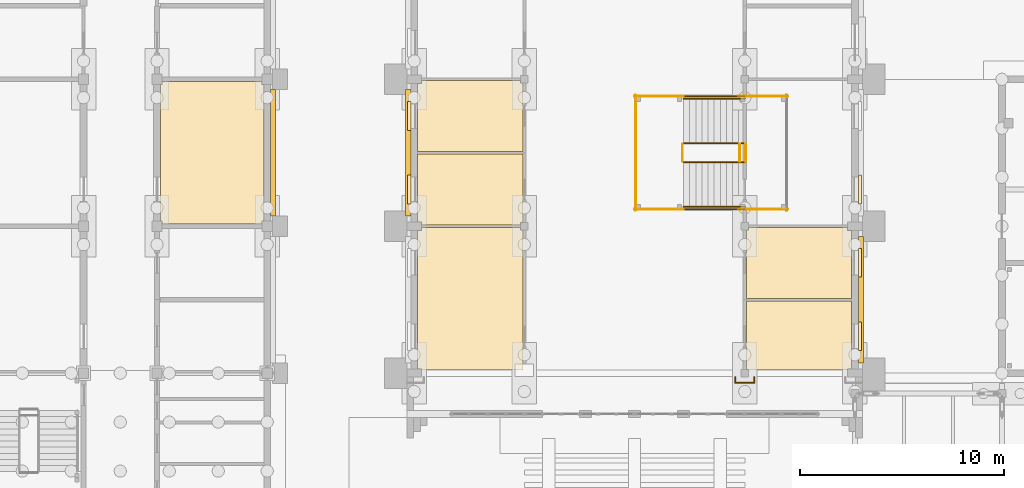
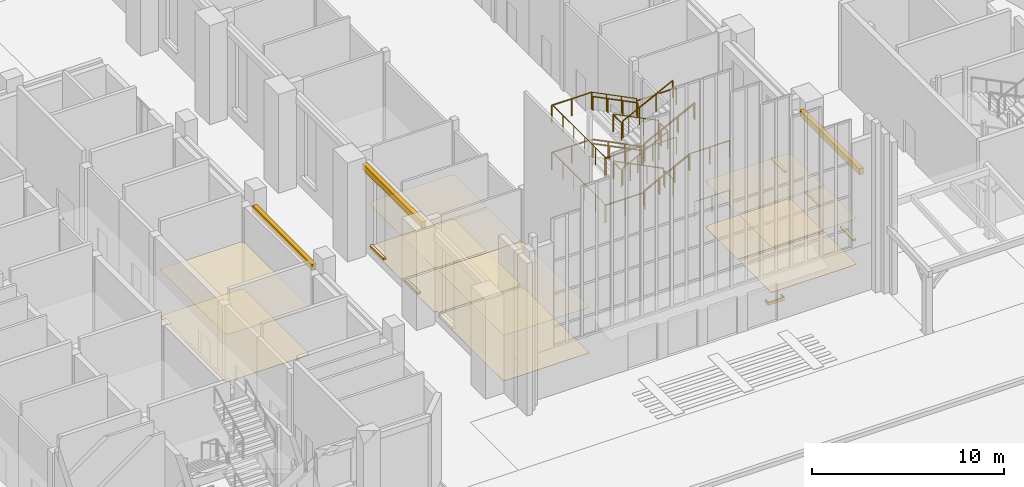
# One storey, part 68 of 84: 26 railings, 21 coverings.
"""IFC4 building model written with IfcOpenShell, lengths in metres."""

import ifcopenshell
import ifcopenshell.guid

model = None  # the IFC model being written
_history = None  # IfcOwnerHistory: only IFC2X3 demands one
_inside = {}  # id of a spatial element -> (the spatial element, [elements in it])
_under = {}  # id of a project, library or spatial element -> (it, [spatial elements below it])
_declared = {}  # id of a project -> (the project, [libraries it declares])
_typed = {}  # id of a type object -> (the type object, [elements of that type])
_made_of = {}  # id of a material, layer set ... -> (it, [elements and type objects made of it])


def new_model(schema):
    """Start an empty IFC model of exactly this schema.

    Asked for "IFC4X3", IfcOpenShell would pick the latest addendum, in which some entities
    have other attributes; the version numbers below select the first issue.
    IFC2X3 requires an IfcOwnerHistory on every rooted entity: one is made here for all.
    """
    global model, _history
    if schema == "IFC4X3":
        model = ifcopenshell.file(schema_version=(4, 3, 0, 0))
    else:
        model = ifcopenshell.file(schema=schema)
    _inside.clear()
    _under.clear()
    _declared.clear()
    _typed.clear()
    _made_of.clear()
    _history = None
    if model.schema == "IFC2X3":
        org = make("IfcOrganization", Name="unknown")
        user = make(
            "IfcPersonAndOrganization",
            ThePerson=make("IfcPerson", FamilyName="unknown"),
            TheOrganization=org,
        )
        app = make(
            "IfcApplication",
            ApplicationDeveloper=org,
            Version="unknown",
            ApplicationFullName="unknown",
            ApplicationIdentifier="unknown",
        )
        _history = make(
            "IfcOwnerHistory",
            OwningUser=user,
            OwningApplication=app,
            ChangeAction="ADDED",
            CreationDate=0,
        )
    return model


def make(cls, **values):
    """One entity of the class cls with the attributes given. An attribute that is None is left unset."""
    return model.create_entity(
        cls, **{name: value for name, value in values.items() if value is not None}
    )


def rooted(cls, **values):
    """An entity with a GlobalId (a new one), such as an element, a storey or a relation."""
    return make(cls, GlobalId=ifcopenshell.guid.new(), OwnerHistory=_history, **values)


def si_unit(unit_type, name, prefix=None):
    """IfcSIUnit, for example si_unit("LENGTHUNIT", "METRE", prefix="MILLI")."""
    return make("IfcSIUnit", UnitType=unit_type, Prefix=prefix, Name=name)


def assignment(units):
    """IfcUnitAssignment: the units of a project."""
    return None if units is None else make("IfcUnitAssignment", Units=units)


def point(xyz):
    """IfcCartesianPoint."""
    return None if xyz is None else make("IfcCartesianPoint", Coordinates=xyz)


def direction(xyz):
    """IfcDirection."""
    return None if xyz is None else make("IfcDirection", DirectionRatios=xyz)


def frame(location, z_axis=None, x_axis=None):
    """IfcAxis2Placement3D, a coordinate frame: its origin and axes. An axis left out is left unset."""
    return make(
        "IfcAxis2Placement3D",
        Location=point(location),
        Axis=direction(z_axis),
        RefDirection=direction(x_axis),
    )


def frame_2d(location, x_axis=None):
    """IfcAxis2Placement2D, a coordinate frame in the plane: its origin and x axis."""
    return make(
        "IfcAxis2Placement2D", Location=point(location), RefDirection=direction(x_axis)
    )


def origin():
    """The frame at (0, 0, 0) with its axes left unset."""
    return frame((0.0, 0.0, 0.0))


def origin_2d():
    """The frame at (0, 0) in the plane with its x axis left unset."""
    return frame_2d((0.0, 0.0))


def place(relative_to, where):
    """IfcLocalPlacement: puts the frame where relative to a parent placement (None: the world)."""
    return make(
        "IfcLocalPlacement", PlacementRelTo=relative_to, RelativePlacement=where
    )


def context(
    kind, dimensions, precision=None, world=None, true_north=None, identifier=None
):
    """IfcGeometricRepresentationContext, for example the 3D "Model" context."""
    return make(
        "IfcGeometricRepresentationContext",
        ContextIdentifier=identifier,
        ContextType=kind,
        CoordinateSpaceDimension=dimensions,
        Precision=precision,
        WorldCoordinateSystem=world,
        TrueNorth=true_north,
    )


def subcontext(parent, identifier, kind, view, scale=None):
    """IfcGeometricRepresentationSubContext, for example "Body" below "Model"."""
    return make(
        "IfcGeometricRepresentationSubContext",
        ContextIdentifier=identifier,
        ContextType=kind,
        ParentContext=parent,
        TargetScale=scale,
        TargetView=view,
    )


def project(units=None, contexts=None):
    """IfcProject with its units and contexts."""
    return rooted(
        "IfcProject",
        Name="project",
        RepresentationContexts=contexts,
        UnitsInContext=assignment(units),
    )


def spatial(cls, under=None, at=None, **own):
    """A site, building, storey or space (cls), placed at a placement, below another one or the project."""
    s = rooted(cls, ObjectPlacement=at, **own)
    if under is not None:
        _under.setdefault(under.id(), (under, []))[1].append(s)
    return s


def polyline(points):
    """IfcPolyline through the points."""
    return make("IfcPolyline", Points=[point(p) for p in points])


def profile(cls, at=None, kind="AREA", **sizes):
    """A parametric profile (cls). Its sizes go by their IFC names, for example OverallWidth=200.0."""
    return make(cls, ProfileType=kind, Position=at, **sizes)


def circle(**sizes):
    """IfcCircleProfileDef."""
    return profile("IfcCircleProfileDef", **sizes)


def outline(outer, holes=None, kind="AREA"):
    """IfcArbitraryClosedProfileDef: a profile drawn as a closed curve; with holes, ...WithVoids."""
    if holes is None:
        return make("IfcArbitraryClosedProfileDef", ProfileType=kind, OuterCurve=outer)
    return make(
        "IfcArbitraryProfileDefWithVoids",
        ProfileType=kind,
        OuterCurve=outer,
        InnerCurves=holes,
    )


def extrude(swept, where, along, depth):
    """IfcExtrudedAreaSolid: the profile swept, set in the frame where, extruded along a direction by depth."""
    return make(
        "IfcExtrudedAreaSolid",
        SweptArea=swept,
        Position=where,
        ExtrudedDirection=direction(along),
        Depth=depth,
    )


def shape(context_of_items, identifier, shape_type, items):
    """IfcShapeRepresentation: the items that make up one representation, for example the "Body"."""
    return make(
        "IfcShapeRepresentation",
        ContextOfItems=context_of_items,
        RepresentationIdentifier=identifier,
        RepresentationType=shape_type,
        Items=items,
    )


def material(Name=None, Category=None):
    """IfcMaterial."""
    return make("IfcMaterial", Name=Name, Category=Category)


def layer(
    of_material, thickness, ventilated=None, Name=None, Category=None, Priority=None
):
    """IfcMaterialLayer: one layer of a wall or slab, of a material (None: an air gap)."""
    return make(
        "IfcMaterialLayer",
        Material=of_material,
        LayerThickness=thickness,
        IsVentilated=ventilated,
        Name=Name,
        Category=Category,
        Priority=Priority,
    )


def layer_set(layers, Name=None):
    """IfcMaterialLayerSet."""
    return make("IfcMaterialLayerSet", MaterialLayers=layers, LayerSetName=Name)


def made_of(thing, what):
    """Note that an element or type object is made of a material, layer set ...; save() writes the relation."""
    if what is not None:
        _made_of.setdefault(what.id(), (what, []))[1].append(thing)
    return thing


def type_object(cls, material=None, **own):
    """A type object (cls), such as IfcWallType, which elements share."""
    return made_of(rooted(cls, **own), material)


def element(
    cls,
    number,
    at=None,
    inside=None,
    cuts=None,
    type_object=None,
    material=None,
    context=None,
    identifier="Body",
    shape_type=None,
    held_by="IfcProductDefinitionShape",
    body=None,
    shapes=None,
    **own,
):
    """One element of the class cls, such as IfcWall. Its Tag is "e" and its number.

    at: its placement. inside: the storey or other place that contains it. cuts: it is an
    opening in that element (IfcRelVoidsElement). A single representation is given by context,
    identifier, shape_type and body (its items); several are given by shapes. held_by: the class
    of the entity that holds the representations. save() writes the other relations.
    """
    e = rooted(cls, Tag="e%d" % number, ObjectPlacement=at, **own)
    if body is not None:
        shapes = [shape(context, identifier, shape_type, body)]
    if shapes is not None:
        e.Representation = make(held_by, Representations=shapes)
    if inside is not None:
        _inside.setdefault(inside.id(), (inside, []))[1].append(e)
    if cuts is not None:
        rooted(
            "IfcRelVoidsElement", RelatingBuildingElement=cuts, RelatedOpeningElement=e
        )
    if type_object is not None:
        _typed.setdefault(type_object.id(), (type_object, []))[1].append(e)
    return made_of(e, material)


def aggregate(whole, parts):
    """IfcRelAggregates: a whole, such as a stair, and the parts it consists of."""
    return rooted("IfcRelAggregates", RelatingObject=whole, RelatedObjects=parts)


def save(model, path):
    """Write the relations noted so far, then the file.

    IfcRelAggregates (storeys below a building ...), IfcRelContainedInSpatialStructure (elements
    in a storey), IfcRelDefinesByType, IfcRelAssociatesMaterial and IfcRelDeclares: one each for
    every whole, place, type object, material and project.
    """
    for whole, parts in _under.values():
        aggregate(whole, parts)
    for where, things in _inside.values():
        rooted(
            "IfcRelContainedInSpatialStructure",
            RelatedElements=things,
            RelatingStructure=where,
        )
    for kind, things in _typed.values():
        rooted("IfcRelDefinesByType", RelatedObjects=things, RelatingType=kind)
    for what, things in _made_of.values():
        rooted("IfcRelAssociatesMaterial", RelatedObjects=things, RelatingMaterial=what)
    for by, libraries in _declared.values():
        rooted("IfcRelDeclares", RelatingContext=by, RelatedDefinitions=libraries)
    model.write(path)


model = new_model("IFC4")

# Units and contexts
model_context = context("Model", 3, precision=1e-05, world=origin(), true_north=direction((0.0, 1.0)))
body_context = subcontext(model_context, "Body", "Model", "MODEL_VIEW")
ifc_project = project(units=[si_unit("LENGTHUNIT", "METRE"), si_unit("AREAUNIT", "SQUARE_METRE"), si_unit("VOLUMEUNIT", "CUBIC_METRE"), si_unit("PLANEANGLEUNIT", "RADIAN"), si_unit("MASSUNIT", "GRAM", prefix="KILO")], contexts=[model_context])

# Site, building, storey
site_placement = place(None, origin())
site = spatial("IfcSite", under=ifc_project, at=site_placement, CompositionType="ELEMENT")
building_placement = place(site_placement, origin())
building = spatial("IfcBuilding", under=site, at=building_placement, Name="Mazhai Court Health Centre", CompositionType="ELEMENT")
storey_placement = place(building_placement, origin())
storey = spatial("IfcBuildingStorey", under=building, at=storey_placement, Name="L00", CompositionType="ELEMENT", Elevation=0.0)

# Coverings
ifc_material_1 = material(Name="Clay brick masonry", Category="masonry")
ifc_layer_1 = layer(ifc_material_1, 0.25)
ifc_layer_set_1 = layer_set([ifc_layer_1], Name="BRICK BAND 250")
covering_type_1 = type_object("IfcCoveringType", Name="BRICK BAND 250", PredefinedType="MOLDING", material=ifc_layer_set_1)
covering_1_placement = place(storey_placement, frame((0.0, 0.0, 5.0)))
element("IfcCovering", 1, at=covering_1_placement, inside=storey, type_object=covering_type_1, Name="EB-V5-L00-B2p0-0", PredefinedType="MOLDING", context=body_context, shape_type="SweptSolid", body=[
    extrude(outline(polyline([(35.1650390625, 27.300048828125), (35.1650390625, 21.10009765625), (35.4150390625, 21.10009765625), (35.4150390625, 27.300048828125), (35.1650390625, 27.300048828125)])), origin(), (0.0, 0.0, 1.0), 0.39990234375),
])
covering_2_placement = place(storey_placement, frame((0.0, 0.0, 5.3701171875)))
element("IfcCovering", 2, at=covering_2_placement, inside=storey, type_object=covering_type_1, Name="EB-V1-L00-W1-0", PredefinedType="MOLDING", context=body_context, shape_type="SweptSolid", body=[
    extrude(outline(polyline([(42.034912109375, 21.10009765625), (42.034912109375, 27.300048828125), (41.784912109375, 27.300048828125), (41.784912109375, 21.10009765625), (42.034912109375, 21.10009765625)])), origin(), (0.0, 0.0, 1.0), 0.39990234375),
])
covering_3_placement = place(storey_placement, frame((0.0, 0.0, 5.3701171875)))
element("IfcCovering", 3, at=covering_3_placement, inside=storey, type_object=covering_type_1, Name="EB-V1-L00-E0-0", PredefinedType="MOLDING", context=body_context, shape_type="SweptSolid", body=[
    extrude(outline(polyline([(63.965087890625, 20.10009765625), (63.965087890625, 13.89990234375), (64.215087890625, 13.89990234375), (64.215087890625, 20.10009765625), (63.965087890625, 20.10009765625)])), origin(), (0.0, 0.0, 1.0), 0.39990234375),
])
ifc_material_2 = material(Name="Clay brick masonry", Category="masonry")
ifc_layer_2 = layer(ifc_material_2, 0.14990234375)
ifc_layer_set_2 = layer_set([ifc_layer_2], Name="BRICK SILL COURSE 150")
covering_type_2 = type_object("IfcCoveringType", Name="BRICK SILL COURSE 150", PredefinedType="MOLDING", material=ifc_layer_set_2)
covering_4_placement = place(storey_placement, frame((0.0, 0.0, 0.780029296875)))
element("IfcCovering", 4, at=covering_4_placement, inside=storey, type_object=covering_type_2, Name="ES-WN-V1-L00-W1a", PredefinedType="MOLDING", context=body_context, shape_type="SweptSolid", body=[
    extrude(outline(polyline([(42.034912109375, 21.699951171875), (42.034912109375, 23.10009765625), (41.885009765625, 23.10009765625), (41.885009765625, 21.699951171875), (42.034912109375, 21.699951171875)])), origin(), (0.0, 0.0, 1.0), 0.119873046875),
])
covering_5_placement = place(storey_placement, frame((0.0, 0.0, 0.780029296875)))
element("IfcCovering", 5, at=covering_5_placement, inside=storey, type_object=covering_type_2, Name="ES-WN-V1-L00-W1b", PredefinedType="MOLDING", context=body_context, shape_type="SweptSolid", body=[
    extrude(outline(polyline([(42.034912109375, 25.300048828125), (42.034912109375, 26.699951171875), (41.885009765625, 26.699951171875), (41.885009765625, 25.300048828125), (42.034912109375, 25.300048828125)])), origin(), (0.0, 0.0, 1.0), 0.119873046875),
])
covering_6_placement = place(storey_placement, frame((0.0, 0.0, 0.780029296875)))
element("IfcCovering", 6, at=covering_6_placement, inside=storey, type_object=covering_type_2, Name="ES-WN-V1-L00-E0a", PredefinedType="MOLDING", context=body_context, shape_type="SweptSolid", body=[
    extrude(outline(polyline([(63.965087890625, 15.89990234375), (63.965087890625, 14.5), (64.114990234375, 14.5), (64.114990234375, 15.89990234375), (63.965087890625, 15.89990234375)])), origin(), (0.0, 0.0, 1.0), 0.119873046875),
])
covering_7_placement = place(storey_placement, frame((0.0, 0.0, 0.780029296875)))
element("IfcCovering", 7, at=covering_7_placement, inside=storey, type_object=covering_type_2, Name="ES-WN-V1-L00-E0b", PredefinedType="MOLDING", context=body_context, shape_type="SweptSolid", body=[
    extrude(outline(polyline([(63.965087890625, 19.5), (63.965087890625, 18.10009765625), (64.114990234375, 18.10009765625), (64.114990234375, 19.5), (63.965087890625, 19.5)])), origin(), (0.0, 0.0, 1.0), 0.119873046875),
])
covering_8_placement = place(storey_placement, frame((0.0, 0.0, 0.780029296875)))
element("IfcCovering", 8, at=covering_8_placement, inside=storey, type_object=covering_type_2, Name="ES-WN-V1-L00-E1a", PredefinedType="MOLDING", context=body_context, shape_type="SweptSolid", body=[
    extrude(outline(polyline([(63.965087890625, 23.10009765625), (63.965087890625, 21.699951171875), (64.114990234375, 21.699951171875), (64.114990234375, 23.10009765625), (63.965087890625, 23.10009765625)])), origin(), (0.0, 0.0, 1.0), 0.119873046875),
])
ifc_material_3 = material(Name="Gypsum plasterboard ceiling")
ifc_layer_3 = layer(ifc_material_3, 0.02001953125)
ifc_layer_set_3 = layer_set([ifc_layer_3], Name="CEILING GYPSUM BOARD 20")
covering_type_3 = type_object("IfcCoveringType", Name="CEILING GYPSUM BOARD 20", PredefinedType="CEILING", material=ifc_layer_set_3)
covering_9_placement = place(storey_placement, frame((0.0, 0.0, 3.0)))
element("IfcCovering", 9, at=covering_9_placement, inside=storey, type_object=covering_type_3, Name="ceil-V5-L00-B0-ct-room", PredefinedType="CEILING", context=body_context, shape_type="SweptSolid", body=[
    extrude(outline(polyline([(34.8349609375, 27.550048828125), (34.75, 27.550048828125), (34.75, 27.68505859375), (29.85009765625, 27.68505859375), (29.85009765625, 27.550048828125), (29.77490234375, 27.550048828125), (29.77490234375, 20.85009765625), (29.85009765625, 20.85009765625), (29.85009765625, 20.715087890625), (34.75, 20.715087890625), (34.75, 20.85009765625), (34.8349609375, 20.85009765625), (34.8349609375, 27.550048828125)])), origin(), (0.0, 0.0, 1.0), 0.02001953125),
])
covering_10_placement = place(storey_placement, frame((0.0, 0.0, 2.89990234375)))
element("IfcCovering", 10, at=covering_10_placement, inside=storey, type_object=covering_type_3, Name="ceil-V1-L00-W-registration-and-reception", PredefinedType="CEILING", context=body_context, shape_type="SweptSolid", body=[
    extrude(outline(polyline([(47.52490234375, 20.419921875), (47.419921875, 20.419921875), (47.419921875, 20.53759765625), (42.56005859375, 20.53759765625), (42.56005859375, 20.39990234375), (42.364990234375, 20.39990234375), (42.364990234375, 13.60009765625), (42.56005859375, 13.60009765625), (42.56005859375, 13.56494140625), (47.52490234375, 13.56494140625), (47.52490234375, 20.419921875)])), origin(), (0.0, 0.0, 1.0), 0.02001953125),
])
covering_11_placement = place(storey_placement, frame((0.0, 0.0, 2.800048828125)))
element("IfcCovering", 11, at=covering_11_placement, inside=storey, type_object=covering_type_3, Name="ceil-V1-L00-W-triage-room-1", PredefinedType="CEILING", context=body_context, shape_type="SweptSolid", body=[
    extrude(outline(polyline([(42.364990234375, 20.800048828125), (42.56005859375, 20.800048828125), (42.56005859375, 20.66259765625), (47.419921875, 20.66259765625), (47.419921875, 20.780029296875), (47.52490234375, 20.780029296875), (47.52490234375, 24.137451171875), (42.364990234375, 24.137451171875), (42.364990234375, 20.800048828125)])), origin(), (0.0, 0.0, 1.0), 0.02001953125),
])
covering_12_placement = place(storey_placement, frame((0.0, 0.0, 2.800048828125)))
element("IfcCovering", 12, at=covering_12_placement, inside=storey, type_object=covering_type_3, Name="ceil-V1-L00-W-triage-room-2", PredefinedType="CEILING", context=body_context, shape_type="SweptSolid", body=[
    extrude(outline(polyline([(47.52490234375, 27.6201171875), (47.419921875, 27.6201171875), (47.419921875, 27.737548828125), (42.56005859375, 27.737548828125), (42.56005859375, 27.60009765625), (42.364990234375, 27.60009765625), (42.364990234375, 24.262451171875), (47.52490234375, 24.262451171875), (47.52490234375, 27.6201171875)])), origin(), (0.0, 0.0, 1.0), 0.02001953125),
])
covering_13_placement = place(storey_placement, frame((0.0, 0.0, 2.89990234375)))
element("IfcCovering", 13, at=covering_13_placement, inside=storey, type_object=covering_type_3, Name="ceil-V1-L00-E-security-room", PredefinedType="CEILING", context=body_context, shape_type="SweptSolid", body=[
    extrude(outline(polyline([(58.47509765625, 13.580078125), (58.580078125, 13.580078125), (58.580078125, 13.56494140625), (63.43994140625, 13.56494140625), (63.43994140625, 13.60009765625), (63.635009765625, 13.60009765625), (63.635009765625, 16.9375), (58.47509765625, 16.9375), (58.47509765625, 13.580078125)])), origin(), (0.0, 0.0, 1.0), 0.02001953125),
])
covering_14_placement = place(storey_placement, frame((0.0, 0.0, 2.89990234375)))
element("IfcCovering", 14, at=covering_14_placement, inside=storey, type_object=covering_type_3, Name="ceil-V1-L00-E-fire-command-centre", PredefinedType="CEILING", context=body_context, shape_type="SweptSolid", body=[
    extrude(outline(polyline([(63.635009765625, 20.39990234375), (63.43994140625, 20.39990234375), (63.43994140625, 20.53759765625), (58.580078125, 20.53759765625), (58.580078125, 20.419921875), (58.47509765625, 20.419921875), (58.47509765625, 17.0625), (63.635009765625, 17.0625), (63.635009765625, 20.39990234375)])), origin(), (0.0, 0.0, 1.0), 0.02001953125),
])
ifc_material_4 = material(Name="Antistatic vinyl flooring")
ifc_layer_4 = layer(ifc_material_4, 0.02001953125)
ifc_layer_set_4 = layer_set([ifc_layer_4], Name="FLOOR FINISH ANTISTATIC VINYL FLOORING 20")
covering_type_4 = type_object("IfcCoveringType", Name="FLOOR FINISH ANTISTATIC VINYL FLOORING 20", PredefinedType="FLOORING", material=ifc_layer_set_4)
covering_15_placement = place(storey_placement, origin())
element("IfcCovering", 15, at=covering_15_placement, inside=storey, type_object=covering_type_4, Name="floor-V5-L00-B0-ct-room", PredefinedType="FLOORING", context=body_context, shape_type="SweptSolid", body=[
    extrude(outline(polyline([(34.8349609375, 27.550048828125), (34.75, 27.550048828125), (34.75, 27.68505859375), (29.85009765625, 27.68505859375), (29.85009765625, 27.550048828125), (29.77490234375, 27.550048828125), (29.77490234375, 20.85009765625), (29.85009765625, 20.85009765625), (29.85009765625, 20.715087890625), (34.75, 20.715087890625), (34.75, 20.85009765625), (34.8349609375, 20.85009765625), (34.8349609375, 27.550048828125)])), origin(), (0.0, 0.0, 1.0), 0.02001953125),
])
ifc_material_5 = material(Name="Heavy duty vinyl flooring")
ifc_layer_5 = layer(ifc_material_5, 0.02001953125)
ifc_layer_set_5 = layer_set([ifc_layer_5], Name="FLOOR FINISH HEAVY DUTY VINYL FLOORING 20")
covering_type_5 = type_object("IfcCoveringType", Name="FLOOR FINISH HEAVY DUTY VINYL FLOORING 20", PredefinedType="FLOORING", material=ifc_layer_set_5)
covering_16_placement = place(storey_placement, origin())
element("IfcCovering", 16, at=covering_16_placement, inside=storey, type_object=covering_type_5, Name="floor-V1-L00-W-triage-room-1", PredefinedType="FLOORING", context=body_context, shape_type="SweptSolid", body=[
    extrude(outline(polyline([(42.364990234375, 20.800048828125), (42.56005859375, 20.800048828125), (42.56005859375, 20.66259765625), (47.419921875, 20.66259765625), (47.419921875, 20.780029296875), (47.52490234375, 20.780029296875), (47.52490234375, 24.137451171875), (42.364990234375, 24.137451171875), (42.364990234375, 20.800048828125)])), origin(), (0.0, 0.0, 1.0), 0.02001953125),
])
covering_17_placement = place(storey_placement, origin())
element("IfcCovering", 17, at=covering_17_placement, inside=storey, type_object=covering_type_5, Name="floor-V1-L00-W-triage-room-2", PredefinedType="FLOORING", context=body_context, shape_type="SweptSolid", body=[
    extrude(outline(polyline([(47.52490234375, 27.6201171875), (47.419921875, 27.6201171875), (47.419921875, 27.737548828125), (42.56005859375, 27.737548828125), (42.56005859375, 27.60009765625), (42.364990234375, 27.60009765625), (42.364990234375, 24.262451171875), (47.52490234375, 24.262451171875), (47.52490234375, 27.6201171875)])), origin(), (0.0, 0.0, 1.0), 0.02001953125),
])
ifc_material_6 = material(Name="Linoleum flooring")
ifc_layer_6 = layer(ifc_material_6, 0.02001953125)
ifc_layer_set_6 = layer_set([ifc_layer_6], Name="FLOOR FINISH LINOLEUM FLOORING 20")
covering_type_6 = type_object("IfcCoveringType", Name="FLOOR FINISH LINOLEUM FLOORING 20", PredefinedType="FLOORING", material=ifc_layer_set_6)
covering_18_placement = place(storey_placement, origin())
element("IfcCovering", 18, at=covering_18_placement, inside=storey, type_object=covering_type_6, Name="floor-V1-L00-W-registration-and-reception", PredefinedType="FLOORING", context=body_context, shape_type="SweptSolid", body=[
    extrude(outline(polyline([(47.52490234375, 20.419921875), (47.419921875, 20.419921875), (47.419921875, 20.53759765625), (42.56005859375, 20.53759765625), (42.56005859375, 20.39990234375), (42.364990234375, 20.39990234375), (42.364990234375, 13.60009765625), (42.56005859375, 13.60009765625), (42.56005859375, 13.56494140625), (47.52490234375, 13.56494140625), (47.52490234375, 20.419921875)])), origin(), (0.0, 0.0, 1.0), 0.02001953125),
])
covering_19_placement = place(storey_placement, origin())
element("IfcCovering", 19, at=covering_19_placement, inside=storey, type_object=covering_type_6, Name="floor-V1-L00-E-security-room", PredefinedType="FLOORING", context=body_context, shape_type="SweptSolid", body=[
    extrude(outline(polyline([(58.47509765625, 13.580078125), (58.580078125, 13.580078125), (58.580078125, 13.56494140625), (63.43994140625, 13.56494140625), (63.43994140625, 13.60009765625), (63.635009765625, 13.60009765625), (63.635009765625, 16.9375), (58.47509765625, 16.9375), (58.47509765625, 13.580078125)])), origin(), (0.0, 0.0, 1.0), 0.02001953125),
])
covering_20_placement = place(storey_placement, origin())
element("IfcCovering", 20, at=covering_20_placement, inside=storey, type_object=covering_type_6, Name="floor-V1-L00-E-fire-command-centre", PredefinedType="FLOORING", context=body_context, shape_type="SweptSolid", body=[
    extrude(outline(polyline([(63.635009765625, 20.39990234375), (63.43994140625, 20.39990234375), (63.43994140625, 20.53759765625), (58.580078125, 20.53759765625), (58.580078125, 20.419921875), (58.47509765625, 20.419921875), (58.47509765625, 17.0625), (63.635009765625, 17.0625), (63.635009765625, 20.39990234375)])), origin(), (0.0, 0.0, 1.0), 0.02001953125),
])
ifc_material_7 = material(Name="Planted topsoil and lawn")
ifc_layer_7 = layer(ifc_material_7, 0.199951171875)
ifc_layer_set_7 = layer_set([ifc_layer_7], Name="SITE GROUND PLANTED SOIL 200")
covering_type_7 = type_object("IfcCoveringType", Name="SITE GROUND PLANTED SOIL 200", PredefinedType="FLOORING", material=ifc_layer_set_7)
covering_21_placement = place(storey_placement, frame((0.0, 0.0, -0.199951171875)))
element("IfcCovering", 21, at=covering_21_placement, inside=storey, type_object=covering_type_7, Name="Site ground 5", PredefinedType="FLOORING", context=body_context, shape_type="SweptSolid", body=[
    extrude(outline(polyline([(58.89990234375, 12.89990234375), (57.89990234375, 12.89990234375), (57.89990234375, 13.235107421875), (57.949951171875, 13.235107421875), (57.949951171875, 12.949951171875), (58.85009765625, 12.949951171875), (58.85009765625, 13.235107421875), (58.89990234375, 13.235107421875), (58.89990234375, 12.89990234375)])), origin(), (0.0, 0.0, 1.0), 0.199951171875),
])

# Railings
ifc_material_8 = material(Name="Steel IS 2062 E250", Category="steel")
railing_type_1 = type_object("IfcRailingType", Name="STAIR GUARD 1100", PredefinedType="GUARDRAIL", material=ifc_material_8)
for number, where, name in (
    (22, (58.39990234375, 26.97509765625, 0.14990234375), "L00 ST13 stair guard 1"),
    (23, (58.39990234375, 24.675048828125, 0.14990234375), "L00 ST13 stair guard 2"),
):
    element("IfcRailing", number, at=place(storey_placement, frame(where)), inside=storey, type_object=railing_type_1, Name=name, PredefinedType="GUARDRAIL", context=body_context, shape_type="SweptSolid", body=[
        extrude(circle(Radius=0.02392578125, at=origin_2d()), frame((0.0, 0.0, 1.076171875), z_axis=(-0.894427191, 0.0, 0.4472135955), x_axis=(0.0, -1.0, 0.0)), (0.0, 0.0, 1.0), 3.35400390625),
        extrude(circle(Radius=0.02099609375, at=origin_2d()), origin(), (0.0, 0.0, 1.0), 1.052001953125),
        extrude(circle(Radius=0.02099609375, at=origin_2d()), frame((-1.0, 0.0, 0.5)), (0.0, 0.0, 1.0), 1.052001953125),
        extrude(circle(Radius=0.02099609375, at=origin_2d()), frame((-2.0, 0.0, 1.0)), (0.0, 0.0, 1.0), 1.052001953125),
        extrude(circle(Radius=0.02099609375, at=origin_2d()), frame((-3.0, 0.0, 1.5)), (0.0, 0.0, 1.0), 1.052001953125),
    ])
railing_1_placement = place(storey_placement, frame((55.35009765625, 24.625, 1.64990234375)))
element("IfcRailing", 24, at=railing_1_placement, inside=storey, type_object=railing_type_1, Name="L00 ST13 stair guard 3", PredefinedType="GUARDRAIL", context=body_context, shape_type="SweptSolid", body=[
    extrude(circle(Radius=0.02392578125, at=origin_2d()), frame((0.0, 0.0, 1.076171875), z_axis=(0.0, -1.0, 0.0), x_axis=(1.0, 0.0, 0.0)), (0.0, 0.0, 1.0), 0.85009765625),
    extrude(circle(Radius=0.02099609375, at=origin_2d()), origin(), (0.0, 0.0, 1.0), 1.052001953125),
    extrude(circle(Radius=0.02099609375, at=origin_2d()), frame((0.0, -0.85009765625, 0.0)), (0.0, 0.0, 1.0), 1.052001953125),
])
for number, where, name in (
    (25, (55.39990234375, 26.97509765625, 1.64990234375), "L00 ST13 stair guard 4"),
    (26, (55.39990234375, 21.425048828125, 1.64990234375), "L00 ST13 stair guard 5"),
):
    element("IfcRailing", number, at=place(storey_placement, frame(where)), inside=storey, type_object=railing_type_1, Name=name, PredefinedType="GUARDRAIL", context=body_context, shape_type="SweptSolid", body=[
        extrude(circle(Radius=0.02392578125, at=origin_2d()), frame((0.0, 0.0, 1.076171875), z_axis=(-1.0, 0.0, 0.0), x_axis=(0.0, -1.0, 0.0)), (0.0, 0.0, 1.0), 2.39990234375),
        extrude(circle(Radius=0.02099609375, at=origin_2d()), origin(), (0.0, 0.0, 1.0), 1.052001953125),
        extrude(circle(Radius=0.02099609375, at=origin_2d()), frame((-1.199951171875, 0.0, 0.0)), (0.0, 0.0, 1.0), 1.052001953125),
        extrude(circle(Radius=0.02099609375, at=origin_2d()), frame((-2.39990234375, 0.0, 0.0)), (0.0, 0.0, 1.0), 1.052001953125),
    ])
railing_2_placement = place(storey_placement, frame((53.050048828125, 27.02490234375, 1.64990234375)))
element("IfcRailing", 27, at=railing_2_placement, inside=storey, type_object=railing_type_1, Name="L00 ST13 stair guard 6", PredefinedType="GUARDRAIL", context=body_context, shape_type="SweptSolid", body=[
    extrude(circle(Radius=0.02392578125, at=origin_2d()), frame((0.0, 0.0, 1.076171875), z_axis=(0.0, -1.0, 0.0), x_axis=(1.0, 0.0, 0.0)), (0.0, 0.0, 1.0), 5.64990234375),
    extrude(circle(Radius=0.02099609375, at=origin_2d()), origin(), (0.0, 0.0, 1.0), 1.052001953125),
    extrude(circle(Radius=0.02099609375, at=origin_2d()), frame((0.0, -1.1298828125, 0.0)), (0.0, 0.0, 1.0), 1.052001953125),
    extrude(circle(Radius=0.02099609375, at=origin_2d()), frame((0.0, -2.260009765625, 0.0)), (0.0, 0.0, 1.0), 1.052001953125),
    extrude(circle(Radius=0.02099609375, at=origin_2d()), frame((0.0, -3.389892578125, 0.0)), (0.0, 0.0, 1.0), 1.052001953125),
    extrude(circle(Radius=0.02099609375, at=origin_2d()), frame((0.0, -4.52001953125, 0.0)), (0.0, 0.0, 1.0), 1.052001953125),
    extrude(circle(Radius=0.02099609375, at=origin_2d()), frame((0.0, -5.64990234375, 0.0)), (0.0, 0.0, 1.0), 1.052001953125),
])
for number, where, name in (
    (28, (55.39990234375, 21.425048828125, 1.800048828125), "L00 ST13 stair guard 7"),
    (29, (55.39990234375, 23.72509765625, 1.800048828125), "L00 ST13 stair guard 8"),
):
    element("IfcRailing", number, at=place(storey_placement, frame(where)), inside=storey, type_object=railing_type_1, Name=name, PredefinedType="GUARDRAIL", context=body_context, shape_type="SweptSolid", body=[
        extrude(circle(Radius=0.02392578125, at=origin_2d()), frame((0.0, 0.0, 1.076171875), z_axis=(0.89445953801, 0.0, 0.447148895629), x_axis=(0.0, 1.0, 0.0)), (0.0, 0.0, 1.0), 3.018798828125),
        extrude(circle(Radius=0.02099609375, at=origin_2d()), origin(), (0.0, 0.0, 1.0), 1.052001953125),
        extrude(circle(Radius=0.02099609375, at=origin_2d()), frame((0.900146484375, 0.0, 0.449951171875)), (0.0, 0.0, 1.0), 1.052001953125),
        extrude(circle(Radius=0.02099609375, at=origin_2d()), frame((1.800048828125, 0.0, 0.89990234375)), (0.0, 0.0, 1.0), 1.052001953125),
        extrude(circle(Radius=0.02099609375, at=origin_2d()), frame((2.7001953125, 0.0, 1.349853515625)), (0.0, 0.0, 1.0), 1.052001953125),
    ])
railing_3_placement = place(storey_placement, frame((58.14990234375, 24.625, 3.14990234375)))
element("IfcRailing", 30, at=railing_3_placement, inside=storey, type_object=railing_type_1, Name="L00 ST13 stair guard 9", PredefinedType="GUARDRAIL", context=body_context, shape_type="SweptSolid", body=[
    extrude(circle(Radius=0.02392578125, at=origin_2d()), frame((0.0, 0.0, 1.076171875), z_axis=(0.0, -1.0, 0.0), x_axis=(1.0, 0.0, 0.0)), (0.0, 0.0, 1.0), 0.85009765625),
    extrude(circle(Radius=0.02099609375, at=origin_2d()), origin(), (0.0, 0.0, 1.0), 1.052001953125),
    extrude(circle(Radius=0.02099609375, at=origin_2d()), frame((0.0, -0.85009765625, 0.0)), (0.0, 0.0, 1.0), 1.052001953125),
])
for number, where, name in (
    (31, (60.5, 26.97509765625, 3.14990234375), "L00 ST13 stair guard 10"),
    (32, (60.5, 21.425048828125, 3.14990234375), "L00 ST13 stair guard 11"),
):
    element("IfcRailing", number, at=place(storey_placement, frame(where)), inside=storey, type_object=railing_type_1, Name=name, PredefinedType="GUARDRAIL", context=body_context, shape_type="SweptSolid", body=[
        extrude(circle(Radius=0.02392578125, at=origin_2d()), frame((0.0, 0.0, 1.076171875), z_axis=(-1.0, 0.0, 0.0), x_axis=(0.0, -1.0, 0.0)), (0.0, 0.0, 1.0), 2.39990234375),
        extrude(circle(Radius=0.02099609375, at=origin_2d()), origin(), (0.0, 0.0, 1.0), 1.052001953125),
        extrude(circle(Radius=0.02099609375, at=origin_2d()), frame((-1.199951171875, 0.0, 0.0)), (0.0, 0.0, 1.0), 1.052001953125),
        extrude(circle(Radius=0.02099609375, at=origin_2d()), frame((-2.39990234375, 0.0, 0.0)), (0.0, 0.0, 1.0), 1.052001953125),
    ])
for number, where, name in (
    (33, (58.10009765625, 26.97509765625, 3.300048828125), "L00 ST13 stair guard 13"),
    (34, (58.10009765625, 24.675048828125, 3.300048828125), "L00 ST13 stair guard 14"),
):
    element("IfcRailing", number, at=place(storey_placement, frame(where)), inside=storey, type_object=railing_type_1, Name=name, PredefinedType="GUARDRAIL", context=body_context, shape_type="SweptSolid", body=[
        extrude(circle(Radius=0.02392578125, at=origin_2d()), frame((0.0, 0.0, 1.076171875), z_axis=(-0.89445953801, 0.0, 0.447148895629), x_axis=(0.0, -1.0, 0.0)), (0.0, 0.0, 1.0), 3.018798828125),
        extrude(circle(Radius=0.02099609375, at=origin_2d()), origin(), (0.0, 0.0, 1.0), 1.052001953125),
        extrude(circle(Radius=0.02099609375, at=origin_2d()), frame((-0.900146484375, 0.0, 0.449951171875)), (0.0, 0.0, 1.0), 1.052001953125),
        extrude(circle(Radius=0.02099609375, at=origin_2d()), frame((-1.800048828125, 0.0, 0.89990234375)), (0.0, 0.0, 1.0), 1.052001953125),
        extrude(circle(Radius=0.02099609375, at=origin_2d()), frame((-2.7001953125, 0.0, 1.349853515625)), (0.0, 0.0, 1.0), 1.052001953125),
    ])
railing_4_placement = place(storey_placement, frame((55.35009765625, 24.625, 4.64990234375)))
element("IfcRailing", 35, at=railing_4_placement, inside=storey, type_object=railing_type_1, Name="L00 ST13 stair guard 15", PredefinedType="GUARDRAIL", context=body_context, shape_type="SweptSolid", body=[
    extrude(circle(Radius=0.02392578125, at=origin_2d()), frame((0.0, 0.0, 1.076171875), z_axis=(0.0, -1.0, 0.0), x_axis=(1.0, 0.0, 0.0)), (0.0, 0.0, 1.0), 0.85009765625),
    extrude(circle(Radius=0.02099609375, at=origin_2d()), origin(), (0.0, 0.0, 1.0), 1.052001953125),
    extrude(circle(Radius=0.02099609375, at=origin_2d()), frame((0.0, -0.85009765625, 0.0)), (0.0, 0.0, 1.0), 1.052001953125),
])
for number, where, name in (
    (36, (55.39990234375, 26.97509765625, 4.64990234375), "L00 ST13 stair guard 16"),
    (37, (55.39990234375, 21.425048828125, 4.64990234375), "L00 ST13 stair guard 17"),
):
    element("IfcRailing", number, at=place(storey_placement, frame(where)), inside=storey, type_object=railing_type_1, Name=name, PredefinedType="GUARDRAIL", context=body_context, shape_type="SweptSolid", body=[
        extrude(circle(Radius=0.02392578125, at=origin_2d()), frame((0.0, 0.0, 1.076171875), z_axis=(-1.0, 0.0, 0.0), x_axis=(0.0, -1.0, 0.0)), (0.0, 0.0, 1.0), 2.39990234375),
        extrude(circle(Radius=0.02099609375, at=origin_2d()), origin(), (0.0, 0.0, 1.0), 1.052001953125),
        extrude(circle(Radius=0.02099609375, at=origin_2d()), frame((-1.199951171875, 0.0, 0.0)), (0.0, 0.0, 1.0), 1.052001953125),
        extrude(circle(Radius=0.02099609375, at=origin_2d()), frame((-2.39990234375, 0.0, 0.0)), (0.0, 0.0, 1.0), 1.052001953125),
    ])
railing_5_placement = place(storey_placement, frame((53.050048828125, 27.02490234375, 4.64990234375)))
element("IfcRailing", 38, at=railing_5_placement, inside=storey, type_object=railing_type_1, Name="L00 ST13 stair guard 18", PredefinedType="GUARDRAIL", context=body_context, shape_type="SweptSolid", body=[
    extrude(circle(Radius=0.02392578125, at=origin_2d()), frame((0.0, 0.0, 1.076171875), z_axis=(0.0, -1.0, 0.0), x_axis=(1.0, 0.0, 0.0)), (0.0, 0.0, 1.0), 5.64990234375),
    extrude(circle(Radius=0.02099609375, at=origin_2d()), origin(), (0.0, 0.0, 1.0), 1.052001953125),
    extrude(circle(Radius=0.02099609375, at=origin_2d()), frame((0.0, -1.1298828125, 0.0)), (0.0, 0.0, 1.0), 1.052001953125),
    extrude(circle(Radius=0.02099609375, at=origin_2d()), frame((0.0, -2.260009765625, 0.0)), (0.0, 0.0, 1.0), 1.052001953125),
    extrude(circle(Radius=0.02099609375, at=origin_2d()), frame((0.0, -3.389892578125, 0.0)), (0.0, 0.0, 1.0), 1.052001953125),
    extrude(circle(Radius=0.02099609375, at=origin_2d()), frame((0.0, -4.52001953125, 0.0)), (0.0, 0.0, 1.0), 1.052001953125),
    extrude(circle(Radius=0.02099609375, at=origin_2d()), frame((0.0, -5.64990234375, 0.0)), (0.0, 0.0, 1.0), 1.052001953125),
])
for number, where, name in (
    (39, (55.39990234375, 21.425048828125, 4.800048828125), "L00 ST13 stair guard 19"),
    (40, (55.39990234375, 23.72509765625, 4.800048828125), "L00 ST13 stair guard 20"),
):
    element("IfcRailing", number, at=place(storey_placement, frame(where)), inside=storey, type_object=railing_type_1, Name=name, PredefinedType="GUARDRAIL", context=body_context, shape_type="SweptSolid", body=[
        extrude(circle(Radius=0.02392578125, at=origin_2d()), frame((0.0, 0.0, 1.076171875), z_axis=(0.894427191, 0.0, 0.4472135955), x_axis=(0.0, 1.0, 0.0)), (0.0, 0.0, 1.0), 3.35400390625),
        extrude(circle(Radius=0.02099609375, at=origin_2d()), origin(), (0.0, 0.0, 1.0), 1.052001953125),
        extrude(circle(Radius=0.02099609375, at=origin_2d()), frame((1.0, 0.0, 0.5)), (0.0, 0.0, 1.0), 1.052001953125),
        extrude(circle(Radius=0.02099609375, at=origin_2d()), frame((2.0, 0.0, 1.0)), (0.0, 0.0, 1.0), 1.052001953125),
        extrude(circle(Radius=0.02099609375, at=origin_2d()), frame((3.0, 0.0, 1.5)), (0.0, 0.0, 1.0), 1.052001953125),
    ])
railing_6_placement = place(storey_placement, frame((58.449951171875, 24.625, 0.0)))
element("IfcRailing", 41, at=railing_6_placement, inside=storey, type_object=railing_type_1, Name="L00 ST13 stair guard 21", PredefinedType="GUARDRAIL", context=body_context, shape_type="SweptSolid", body=[
    extrude(circle(Radius=0.02392578125, at=origin_2d()), frame((0.0, 0.0, 1.076171875), z_axis=(0.0, -1.0, 0.0), x_axis=(1.0, 0.0, 0.0)), (0.0, 0.0, 1.0), 0.85009765625),
    extrude(circle(Radius=0.02099609375, at=origin_2d()), origin(), (0.0, 0.0, 1.0), 1.052001953125),
    extrude(circle(Radius=0.02099609375, at=origin_2d()), frame((0.0, -0.85009765625, 0.0)), (0.0, 0.0, 1.0), 1.052001953125),
])
for number, where, name in (
    (42, (60.5, 26.97509765625, 0.0), "L00 ST13 stair guard 22"),
    (43, (60.5, 21.425048828125, 0.0), "L00 ST13 stair guard 23"),
):
    element("IfcRailing", number, at=place(storey_placement, frame(where)), inside=storey, type_object=railing_type_1, Name=name, PredefinedType="GUARDRAIL", context=body_context, shape_type="SweptSolid", body=[
        extrude(circle(Radius=0.02392578125, at=origin_2d()), frame((0.0, 0.0, 1.076171875), z_axis=(-1.0, 0.0, 0.0), x_axis=(0.0, -1.0, 0.0)), (0.0, 0.0, 1.0), 2.10009765625),
        extrude(circle(Radius=0.02099609375, at=origin_2d()), origin(), (0.0, 0.0, 1.0), 1.052001953125),
        extrude(circle(Radius=0.02099609375, at=origin_2d()), frame((-1.050048828125, 0.0, 0.0)), (0.0, 0.0, 1.0), 1.052001953125),
        extrude(circle(Radius=0.02099609375, at=origin_2d()), frame((-2.10009765625, 0.0, 0.0)), (0.0, 0.0, 1.0), 1.052001953125),
    ])
ifc_material_9 = material(Name="Steel IS 2062 E250", Category="steel")
railing_type_2 = type_object("IfcRailingType", Name="STAIR HANDRAIL 900", PredefinedType="HANDRAIL", material=ifc_material_9)
railing_7_placement = place(storey_placement, frame((58.39990234375, 26.85498046875, 0.14990234375)))
element("IfcRailing", 44, at=railing_7_placement, inside=storey, type_object=railing_type_2, Name="L00 ST13 stair handrail 1", PredefinedType="HANDRAIL", context=body_context, shape_type="SweptSolid", body=[
    extrude(circle(Radius=0.02392578125, at=origin_2d()), frame((0.0, 0.0, 0.8759765625), z_axis=(-0.894427191, 0.0, 0.4472135955), x_axis=(0.0, -1.0, 0.0)), (0.0, 0.0, 1.0), 3.35400390625),
    extrude(circle(Radius=0.02099609375, at=origin_2d()), origin(), (0.0, 0.0, 1.0), 0.851806640625),
    extrude(circle(Radius=0.02099609375, at=origin_2d()), frame((-1.0, 0.0, 0.5)), (0.0, 0.0, 1.0), 0.851806640625),
    extrude(circle(Radius=0.02099609375, at=origin_2d()), frame((-2.0, 0.0, 1.0)), (0.0, 0.0, 1.0), 0.851806640625),
    extrude(circle(Radius=0.02099609375, at=origin_2d()), frame((-3.0, 0.0, 1.5)), (0.0, 0.0, 1.0), 0.851806640625),
])
railing_8_placement = place(storey_placement, frame((55.39990234375, 21.544921875, 1.800048828125)))
element("IfcRailing", 45, at=railing_8_placement, inside=storey, type_object=railing_type_2, Name="L00 ST13 stair handrail 2", PredefinedType="HANDRAIL", context=body_context, shape_type="SweptSolid", body=[
    extrude(circle(Radius=0.02392578125, at=origin_2d()), frame((0.0, 0.0, 0.8759765625), z_axis=(0.89445953801, 0.0, 0.447148895629), x_axis=(0.0, 1.0, 0.0)), (0.0, 0.0, 1.0), 3.018798828125),
    extrude(circle(Radius=0.02099609375, at=origin_2d()), origin(), (0.0, 0.0, 1.0), 0.851806640625),
    extrude(circle(Radius=0.02099609375, at=origin_2d()), frame((0.900146484375, 0.0, 0.449951171875)), (0.0, 0.0, 1.0), 0.851806640625),
    extrude(circle(Radius=0.02099609375, at=origin_2d()), frame((1.800048828125, 0.0, 0.89990234375)), (0.0, 0.0, 1.0), 0.851806640625),
    extrude(circle(Radius=0.02099609375, at=origin_2d()), frame((2.7001953125, 0.0, 1.349853515625)), (0.0, 0.0, 1.0), 0.851806640625),
])
railing_9_placement = place(storey_placement, frame((58.10009765625, 26.85498046875, 3.300048828125)))
element("IfcRailing", 46, at=railing_9_placement, inside=storey, type_object=railing_type_2, Name="L00 ST13 stair handrail 3", PredefinedType="HANDRAIL", context=body_context, shape_type="SweptSolid", body=[
    extrude(circle(Radius=0.02392578125, at=origin_2d()), frame((0.0, 0.0, 0.8759765625), z_axis=(-0.89445953801, 0.0, 0.447148895629), x_axis=(0.0, -1.0, 0.0)), (0.0, 0.0, 1.0), 3.018798828125),
    extrude(circle(Radius=0.02099609375, at=origin_2d()), origin(), (0.0, 0.0, 1.0), 0.851806640625),
    extrude(circle(Radius=0.02099609375, at=origin_2d()), frame((-0.900146484375, 0.0, 0.449951171875)), (0.0, 0.0, 1.0), 0.851806640625),
    extrude(circle(Radius=0.02099609375, at=origin_2d()), frame((-1.800048828125, 0.0, 0.89990234375)), (0.0, 0.0, 1.0), 0.851806640625),
    extrude(circle(Radius=0.02099609375, at=origin_2d()), frame((-2.7001953125, 0.0, 1.349853515625)), (0.0, 0.0, 1.0), 0.851806640625),
])
railing_10_placement = place(storey_placement, frame((55.39990234375, 21.544921875, 4.800048828125)))
element("IfcRailing", 47, at=railing_10_placement, inside=storey, type_object=railing_type_2, Name="L00 ST13 stair handrail 4", PredefinedType="HANDRAIL", context=body_context, shape_type="SweptSolid", body=[
    extrude(circle(Radius=0.02392578125, at=origin_2d()), frame((0.0, 0.0, 0.8759765625), z_axis=(0.894427191, 0.0, 0.4472135955), x_axis=(0.0, 1.0, 0.0)), (0.0, 0.0, 1.0), 3.35400390625),
    extrude(circle(Radius=0.02099609375, at=origin_2d()), origin(), (0.0, 0.0, 1.0), 0.851806640625),
    extrude(circle(Radius=0.02099609375, at=origin_2d()), frame((1.0, 0.0, 0.5)), (0.0, 0.0, 1.0), 0.851806640625),
    extrude(circle(Radius=0.02099609375, at=origin_2d()), frame((2.0, 0.0, 1.0)), (0.0, 0.0, 1.0), 0.851806640625),
    extrude(circle(Radius=0.02099609375, at=origin_2d()), frame((3.0, 0.0, 1.5)), (0.0, 0.0, 1.0), 0.851806640625),
])

save(model, "model.ifc")
